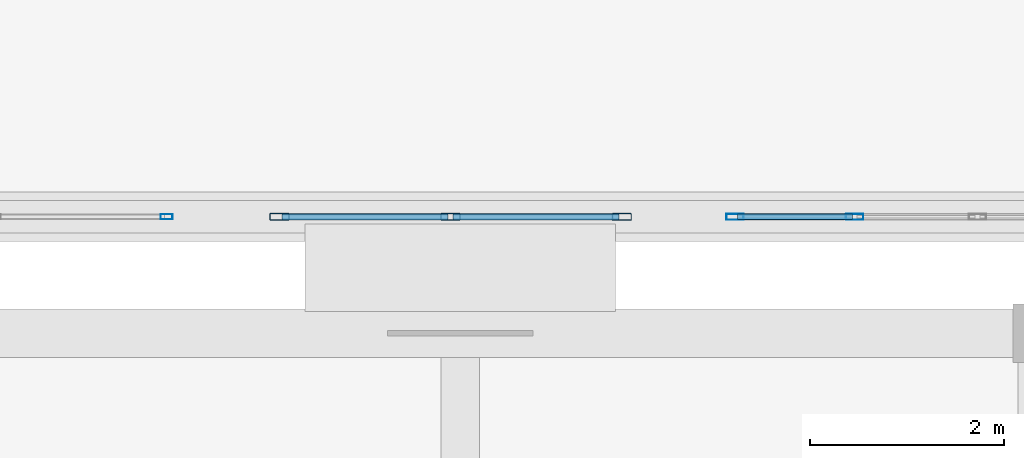
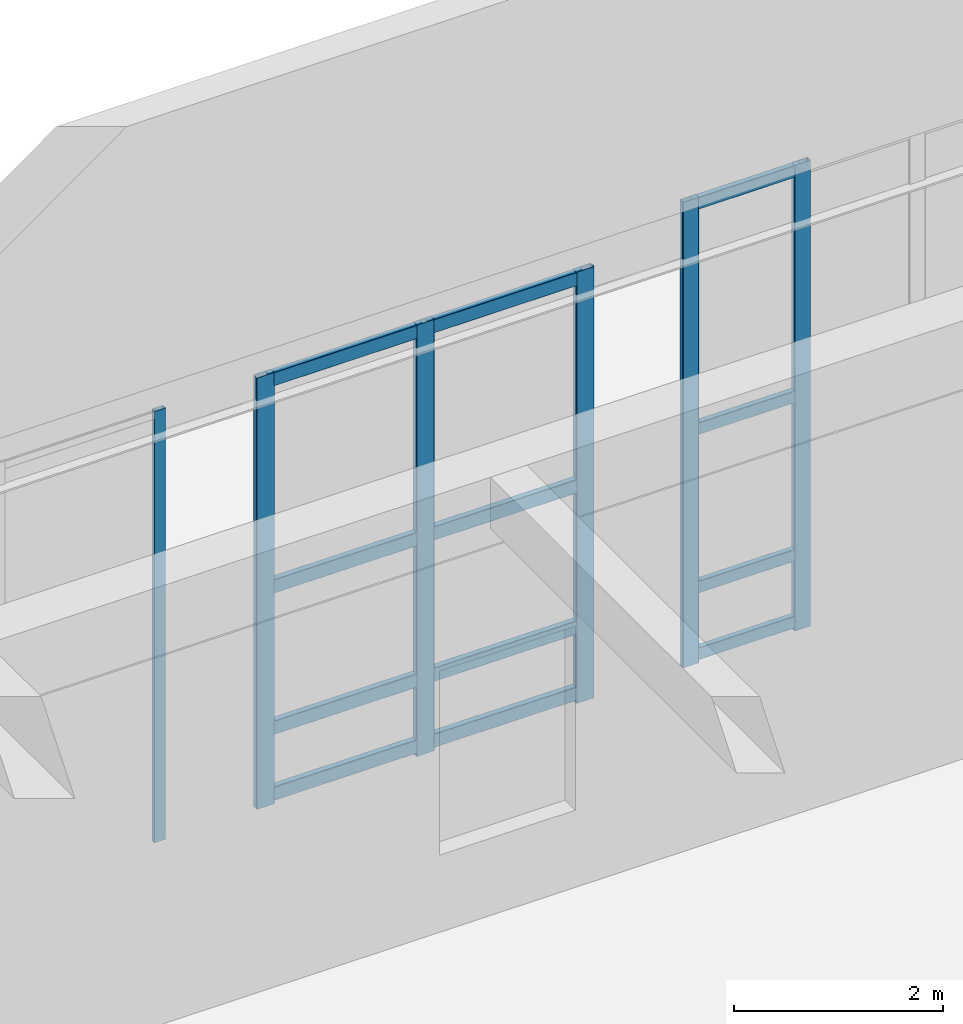
# One storey, part 102 of 197: 18 members, 3 elements without a shape of their own.
"""IFC4 building model written with IfcOpenShell, lengths in metres."""

from ifc_helpers import new_model, si_unit, derived_unit, direction, frame, origin, origin_2d, place, context, subcontext, project, spatial, hollow_rectangle, extrude, material, layer, layer_set, material_profile, profile_set, type_object, element, aggregate, save


model = new_model("IFC4")

# Units and contexts
model_context = context("Model", 3, precision=1e-05, world=origin(), true_north=direction((0.0, 1.0)))
body_context = subcontext(model_context, "Body", "Model", "MODEL_VIEW")
ifc_project = project(units=[si_unit("LENGTHUNIT", "METRE"), si_unit("AREAUNIT", "SQUARE_METRE"), si_unit("VOLUMEUNIT", "CUBIC_METRE"), si_unit("PLANEANGLEUNIT", "RADIAN"), si_unit("MASSUNIT", "GRAM", prefix="KILO"), derived_unit("THERMALTRANSMITTANCEUNIT", [(si_unit("POWERUNIT", "WATT"), 1), (si_unit("LENGTHUNIT", "METRE"), -2), (si_unit("THERMODYNAMICTEMPERATUREUNIT", "KELVIN"), -1)])], contexts=[model_context])

# Site, building, storey
site_placement = place(None, origin())
site = spatial("IfcSite", under=ifc_project, at=site_placement, CompositionType="ELEMENT")
building_placement = place(site_placement, origin())
building = spatial("IfcBuilding", under=site, at=building_placement, Name="Almenara Railside Exhibition Hall", CompositionType="ELEMENT")
storey_placement = place(building_placement, frame((0.0, 0.0, 5.39990234375)))
storey = spatial("IfcBuildingStorey", under=building, at=storey_placement, Name="L01", CompositionType="ELEMENT", Elevation=5.39990234375)

# Curtain wall, member
ifc_material_1 = material(Name="Bronze-anodised aluminium and low-E double glazing", Category="aluminium")
ifc_layer_1 = layer(ifc_material_1, 0.179931640625, Name="Bronze-anodised aluminium and low-E double glazing")
ifc_layer_set_1 = layer_set([ifc_layer_1], Name="Bronze-anodised aluminium and low-E double glazing")
curtain_wall_type_1 = type_object("IfcCurtainWallType", Name="Scroll Gable Standard Curtain Wall 3600x5000", PredefinedType="NOTDEFINED", material=ifc_layer_set_1)
curtain_wall_1_placement = place(storey_placement, origin())
curtain_wall_1 = element("IfcCurtainWall", 1, at=curtain_wall_1_placement, inside=storey, type_object=curtain_wall_type_1, Name="Curtain wall CW-G2-079", PredefinedType="NOTDEFINED")
ifc_material_2 = material(Name="Bronze-anodised aluminium", Category="aluminium")
ifc_material_profile_1 = material_profile(ifc_material_2, hollow_rectangle(XDim=0.054931640625, YDim=0.125, WallThickness=0.0029296875, InnerFilletRadius=0.0029296875, OuterFilletRadius=0.006103515625, at=origin_2d()), Name="ALU-MUL 55x125x3")
ifc_profile_set_1 = profile_set([ifc_material_profile_1], Name="Bronze-anodised aluminium")
member_type_1 = type_object("IfcMemberType", Name="Curtain Wall Mullion 55x125x3", PredefinedType="MULLION", material=ifc_profile_set_1)
member_1_placement = place(storey_placement, frame((152.972412109375, 34.0, 1.01513671875), z_axis=(0.0, 0.0, 1.0), x_axis=(0.0, 1.0, 0.0)))
member_1 = element("IfcMember", 2, at=member_1_placement, type_object=member_type_1, Name="CW-G2-079 mullion 3", PredefinedType="MULLION", context=body_context, shape_type="SweptSolid", body=[
    extrude(hollow_rectangle(XDim=0.054931640625, YDim=0.125, WallThickness=0.0029296875, InnerFilletRadius=0.0029296875, OuterFilletRadius=0.006103515625, at=origin_2d()), origin(), (0.0, 0.0, 1.0), 5.034912109375),
])
aggregate(curtain_wall_1, [member_1])

# Curtain wall, members
ifc_layer_2 = layer(ifc_material_1, 0.179931640625, Name="Bronze-anodised aluminium and low-E double glazing")
ifc_layer_set_2 = layer_set([ifc_layer_2], Name="Bronze-anodised aluminium and low-E double glazing")
curtain_wall_type_2 = type_object("IfcCurtainWallType", Name="Scroll Gable Tall Curtain Wall 3800x5400", PredefinedType="NOTDEFINED", material=ifc_layer_set_2)
curtain_wall_2_placement = place(storey_placement, origin())
curtain_wall_2 = element("IfcCurtainWall", 3, at=curtain_wall_2_placement, inside=storey, type_object=curtain_wall_type_2, Name="Curtain wall CW-G1-081", PredefinedType="NOTDEFINED")
ifc_material_profile_2 = material_profile(ifc_material_2, hollow_rectangle(XDim=0.06494140625, YDim=0.179931640625, WallThickness=0.00390625, InnerFilletRadius=0.00390625, OuterFilletRadius=0.008056640625, at=origin_2d()), Name="ALU-MUL 65x180x4")
ifc_profile_set_2 = profile_set([ifc_material_profile_2], Name="Bronze-anodised aluminium")
member_type_2 = type_object("IfcMemberType", Name="Curtain Wall Mullion 65x180x4", PredefinedType="MULLION", material=ifc_profile_set_2)
member_2_placement = place(storey_placement, frame((158.83251953125, 34.0, 1.01513671875), z_axis=(0.0, 0.0, 1.0), x_axis=(0.0, 1.0, 0.0)))
member_2 = element("IfcMember", 4, at=member_2_placement, type_object=member_type_2, Name="CW-G1-081 mullion 1", PredefinedType="MULLION", context=body_context, shape_type="SweptSolid", body=[
    extrude(hollow_rectangle(XDim=0.06494140625, YDim=0.179931640625, WallThickness=0.00390625, InnerFilletRadius=0.00390625, OuterFilletRadius=0.008056640625, at=origin_2d()), origin(), (0.0, 0.0, 1.0), 5.43505859375),
])
member_3_placement = place(storey_placement, frame((160.066650390625, 34.0, 1.01513671875), z_axis=(0.0, 0.0, 1.0), x_axis=(0.0, 1.0, 0.0)))
member_3 = element("IfcMember", 5, at=member_3_placement, type_object=member_type_2, Name="CW-G1-081 mullion 2", PredefinedType="MULLION", context=body_context, shape_type="SweptSolid", body=[
    extrude(hollow_rectangle(XDim=0.06494140625, YDim=0.179931640625, WallThickness=0.00390625, InnerFilletRadius=0.00390625, OuterFilletRadius=0.008056640625, at=origin_2d()), origin(), (0.0, 0.0, 1.0), 5.43505859375),
])

curtain_wall_3_placement = place(storey_placement, origin())
curtain_wall_3 = element("IfcCurtainWall", 6, at=curtain_wall_3_placement, inside=storey, type_object=curtain_wall_type_1, Name="Curtain wall CW-G2-080", PredefinedType="NOTDEFINED")
ifc_material_profile_3 = material_profile(ifc_material_2, hollow_rectangle(XDim=0.070068359375, YDim=0.199951171875, WallThickness=0.00439453125, InnerFilletRadius=0.00439453125, OuterFilletRadius=0.009033203125, at=origin_2d()), Name="ALU-MUL 70x200x4.5")
ifc_profile_set_3 = profile_set([ifc_material_profile_3], Name="Bronze-anodised aluminium")
member_type_3 = type_object("IfcMemberType", Name="Curtain Wall Mullion 70x200x4.5", PredefinedType="MULLION", material=ifc_profile_set_3)
member_4_placement = place(storey_placement, frame((154.135009765625, 34.0, 1.01513671875), z_axis=(0.0, 0.0, 1.0), x_axis=(0.0, 1.0, 0.0)))
member_4 = element("IfcMember", 7, at=member_4_placement, type_object=member_type_3, Name="CW-G2-080 mullion 1", PredefinedType="MULLION", context=body_context, shape_type="SweptSolid", body=[
    extrude(hollow_rectangle(XDim=0.070068359375, YDim=0.199951171875, WallThickness=0.00439453125, InnerFilletRadius=0.00439453125, OuterFilletRadius=0.009033203125, at=origin_2d()), origin(), (0.0, 0.0, 1.0), 5.034912109375),
])
member_5_placement = place(storey_placement, frame((155.89990234375, 34.0, 1.01513671875), z_axis=(0.0, 0.0, 1.0), x_axis=(0.0, 1.0, 0.0)))
member_5 = element("IfcMember", 8, at=member_5_placement, type_object=member_type_3, Name="CW-G2-080 mullion 2", PredefinedType="MULLION", context=body_context, shape_type="SweptSolid", body=[
    extrude(hollow_rectangle(XDim=0.070068359375, YDim=0.199951171875, WallThickness=0.00439453125, InnerFilletRadius=0.00439453125, OuterFilletRadius=0.009033203125, at=origin_2d()), origin(), (0.0, 0.0, 1.0), 5.034912109375),
])
member_6_placement = place(storey_placement, frame((157.6650390625, 34.0, 1.01513671875), z_axis=(0.0, 0.0, 1.0), x_axis=(0.0, 1.0, 0.0)))
member_6 = element("IfcMember", 9, at=member_6_placement, type_object=member_type_3, Name="CW-G2-080 mullion 3", PredefinedType="MULLION", context=body_context, shape_type="SweptSolid", body=[
    extrude(hollow_rectangle(XDim=0.070068359375, YDim=0.199951171875, WallThickness=0.00439453125, InnerFilletRadius=0.00439453125, OuterFilletRadius=0.009033203125, at=origin_2d()), origin(), (0.0, 0.0, 1.0), 5.034912109375),
])

# Member
ifc_material_profile_4 = material_profile(ifc_material_2, hollow_rectangle(XDim=0.06494140625, YDim=0.139892578125, WallThickness=0.00341796875, InnerFilletRadius=0.00341796875, OuterFilletRadius=0.007080078125, at=origin_2d()), Name="ALU-TRN 65x140x3.5")
ifc_profile_set_4 = profile_set([ifc_material_profile_4], Name="Bronze-anodised aluminium")
member_type_4 = type_object("IfcMemberType", Name="Curtain Wall Transom 65x140x3.5", PredefinedType="USERDEFINED", material=ifc_profile_set_4)
member_7_placement = place(storey_placement, frame((158.85693359375, 34.0, 1.1201171875), z_axis=(1.0, 0.0, 0.0), x_axis=(0.0, 1.0, 0.0)))
member_7 = element("IfcMember", 10, at=member_7_placement, type_object=member_type_4, Name="CW-G1-081 transom 1.1", ObjectType="TRANSOM", PredefinedType="USERDEFINED", context=body_context, shape_type="SweptSolid", body=[
    extrude(hollow_rectangle(XDim=0.06494140625, YDim=0.139892578125, WallThickness=0.00341796875, InnerFilletRadius=0.00341796875, OuterFilletRadius=0.007080078125, at=origin_2d()), origin(), (0.0, 0.0, 1.0), 1.185302734375),
])

member_8_placement = place(storey_placement, frame((158.85693359375, 34.0, 1.900146484375), z_axis=(1.0, 0.0, 0.0), x_axis=(0.0, 1.0, 0.0)))
member_8 = element("IfcMember", 11, at=member_8_placement, type_object=member_type_4, Name="CW-G1-081 transom 1.2", ObjectType="TRANSOM", PredefinedType="USERDEFINED", context=body_context, shape_type="SweptSolid", body=[
    extrude(hollow_rectangle(XDim=0.06494140625, YDim=0.139892578125, WallThickness=0.00341796875, InnerFilletRadius=0.00341796875, OuterFilletRadius=0.007080078125, at=origin_2d()), origin(), (0.0, 0.0, 1.0), 1.185302734375),
])

member_9_placement = place(storey_placement, frame((158.85693359375, 34.0, 3.75), z_axis=(1.0, 0.0, 0.0), x_axis=(0.0, 1.0, 0.0)))
member_9 = element("IfcMember", 12, at=member_9_placement, type_object=member_type_4, Name="CW-G1-081 transom 1.3", ObjectType="TRANSOM", PredefinedType="USERDEFINED", context=body_context, shape_type="SweptSolid", body=[
    extrude(hollow_rectangle(XDim=0.06494140625, YDim=0.139892578125, WallThickness=0.00341796875, InnerFilletRadius=0.00341796875, OuterFilletRadius=0.007080078125, at=origin_2d()), origin(), (0.0, 0.0, 1.0), 1.185302734375),
])

member_10_placement = place(storey_placement, frame((158.85693359375, 34.0, 6.380126953125), z_axis=(1.0, 0.0, 0.0), x_axis=(0.0, 1.0, 0.0)))
member_10 = element("IfcMember", 13, at=member_10_placement, type_object=member_type_4, Name="CW-G1-081 transom 1.4", ObjectType="TRANSOM", PredefinedType="USERDEFINED", context=body_context, shape_type="SweptSolid", body=[
    extrude(hollow_rectangle(XDim=0.06494140625, YDim=0.139892578125, WallThickness=0.00341796875, InnerFilletRadius=0.00341796875, OuterFilletRadius=0.007080078125, at=origin_2d()), origin(), (0.0, 0.0, 1.0), 1.185302734375),
])

aggregate(curtain_wall_2, [member_2, member_3, member_7, member_8, member_9, member_10])

ifc_material_profile_5 = material_profile(ifc_material_2, hollow_rectangle(XDim=0.070068359375, YDim=0.159912109375, WallThickness=0.00390625, InnerFilletRadius=0.00390625, OuterFilletRadius=0.008056640625, at=origin_2d()), Name="ALU-TRN 70x160x4")
ifc_profile_set_5 = profile_set([ifc_material_profile_5], Name="Bronze-anodised aluminium")
member_type_5 = type_object("IfcMemberType", Name="Curtain Wall Transom 70x160x4", PredefinedType="USERDEFINED", material=ifc_profile_set_5)
member_11_placement = place(storey_placement, frame((154.162109375, 34.0, 1.130126953125), z_axis=(1.0, 0.0, 0.0), x_axis=(0.0, 1.0, 0.0)))
member_11 = element("IfcMember", 14, at=member_11_placement, type_object=member_type_5, Name="CW-G2-080 transom 1.1", ObjectType="TRANSOM", PredefinedType="USERDEFINED", context=body_context, shape_type="SweptSolid", body=[
    extrude(hollow_rectangle(XDim=0.070068359375, YDim=0.159912109375, WallThickness=0.00390625, InnerFilletRadius=0.00390625, OuterFilletRadius=0.008056640625, at=origin_2d()), origin(), (0.0, 0.0, 1.0), 1.7109375),
])

member_12_placement = place(storey_placement, frame((154.162109375, 34.0, 1.900146484375), z_axis=(1.0, 0.0, 0.0), x_axis=(0.0, 1.0, 0.0)))
member_12 = element("IfcMember", 15, at=member_12_placement, type_object=member_type_5, Name="CW-G2-080 transom 1.2", ObjectType="TRANSOM", PredefinedType="USERDEFINED", context=body_context, shape_type="SweptSolid", body=[
    extrude(hollow_rectangle(XDim=0.070068359375, YDim=0.159912109375, WallThickness=0.00390625, InnerFilletRadius=0.00390625, OuterFilletRadius=0.008056640625, at=origin_2d()), origin(), (0.0, 0.0, 1.0), 1.7109375),
])

member_13_placement = place(storey_placement, frame((154.162109375, 34.0, 3.550048828125), z_axis=(1.0, 0.0, 0.0), x_axis=(0.0, 1.0, 0.0)))
member_13 = element("IfcMember", 16, at=member_13_placement, type_object=member_type_5, Name="CW-G2-080 transom 1.3", ObjectType="TRANSOM", PredefinedType="USERDEFINED", context=body_context, shape_type="SweptSolid", body=[
    extrude(hollow_rectangle(XDim=0.070068359375, YDim=0.159912109375, WallThickness=0.00390625, InnerFilletRadius=0.00390625, OuterFilletRadius=0.008056640625, at=origin_2d()), origin(), (0.0, 0.0, 1.0), 1.7109375),
])

member_14_placement = place(storey_placement, frame((154.162109375, 34.0, 5.97021484375), z_axis=(1.0, 0.0, 0.0), x_axis=(0.0, 1.0, 0.0)))
member_14 = element("IfcMember", 17, at=member_14_placement, type_object=member_type_5, Name="CW-G2-080 transom 1.4", ObjectType="TRANSOM", PredefinedType="USERDEFINED", context=body_context, shape_type="SweptSolid", body=[
    extrude(hollow_rectangle(XDim=0.070068359375, YDim=0.159912109375, WallThickness=0.00390625, InnerFilletRadius=0.00390625, OuterFilletRadius=0.008056640625, at=origin_2d()), origin(), (0.0, 0.0, 1.0), 1.7109375),
])

member_15_placement = place(storey_placement, frame((155.927001953125, 34.0, 1.130126953125), z_axis=(1.0, 0.0, 0.0), x_axis=(0.0, 1.0, 0.0)))
member_15 = element("IfcMember", 18, at=member_15_placement, type_object=member_type_5, Name="CW-G2-080 transom 2.1", ObjectType="TRANSOM", PredefinedType="USERDEFINED", context=body_context, shape_type="SweptSolid", body=[
    extrude(hollow_rectangle(XDim=0.070068359375, YDim=0.159912109375, WallThickness=0.00390625, InnerFilletRadius=0.00390625, OuterFilletRadius=0.008056640625, at=origin_2d()), origin(), (0.0, 0.0, 1.0), 1.7109375),
])

member_16_placement = place(storey_placement, frame((155.927001953125, 34.0, 1.900146484375), z_axis=(1.0, 0.0, 0.0), x_axis=(0.0, 1.0, 0.0)))
member_16 = element("IfcMember", 19, at=member_16_placement, type_object=member_type_5, Name="CW-G2-080 transom 2.2", ObjectType="TRANSOM", PredefinedType="USERDEFINED", context=body_context, shape_type="SweptSolid", body=[
    extrude(hollow_rectangle(XDim=0.070068359375, YDim=0.159912109375, WallThickness=0.00390625, InnerFilletRadius=0.00390625, OuterFilletRadius=0.008056640625, at=origin_2d()), origin(), (0.0, 0.0, 1.0), 1.7109375),
])

member_17_placement = place(storey_placement, frame((155.927001953125, 34.0, 3.550048828125), z_axis=(1.0, 0.0, 0.0), x_axis=(0.0, 1.0, 0.0)))
member_17 = element("IfcMember", 20, at=member_17_placement, type_object=member_type_5, Name="CW-G2-080 transom 2.3", ObjectType="TRANSOM", PredefinedType="USERDEFINED", context=body_context, shape_type="SweptSolid", body=[
    extrude(hollow_rectangle(XDim=0.070068359375, YDim=0.159912109375, WallThickness=0.00390625, InnerFilletRadius=0.00390625, OuterFilletRadius=0.008056640625, at=origin_2d()), origin(), (0.0, 0.0, 1.0), 1.7109375),
])

member_18_placement = place(storey_placement, frame((155.927001953125, 34.0, 5.97021484375), z_axis=(1.0, 0.0, 0.0), x_axis=(0.0, 1.0, 0.0)))
member_18 = element("IfcMember", 21, at=member_18_placement, type_object=member_type_5, Name="CW-G2-080 transom 2.4", ObjectType="TRANSOM", PredefinedType="USERDEFINED", context=body_context, shape_type="SweptSolid", body=[
    extrude(hollow_rectangle(XDim=0.070068359375, YDim=0.159912109375, WallThickness=0.00390625, InnerFilletRadius=0.00390625, OuterFilletRadius=0.008056640625, at=origin_2d()), origin(), (0.0, 0.0, 1.0), 1.7109375),
])

aggregate(curtain_wall_3, [member_4, member_5, member_6, member_11, member_12, member_13, member_14, member_15, member_16, member_17, member_18])

save(model, "model.ifc")
